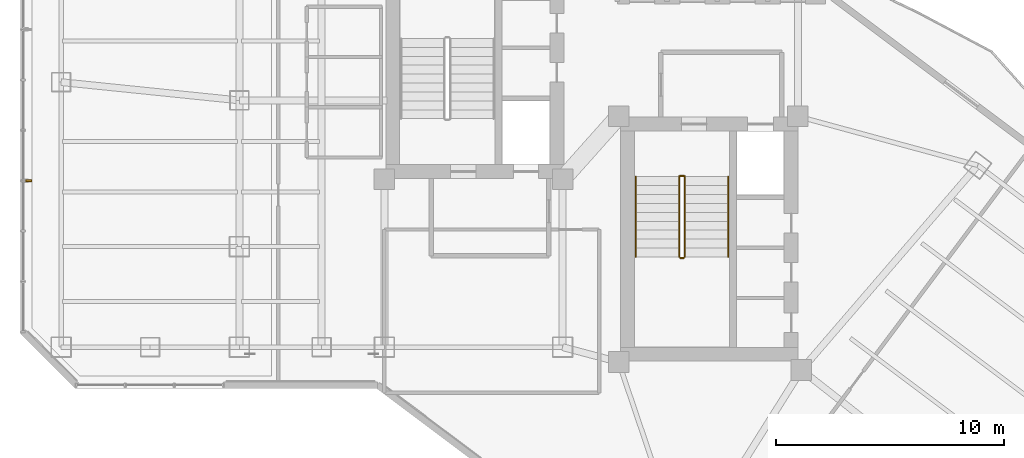
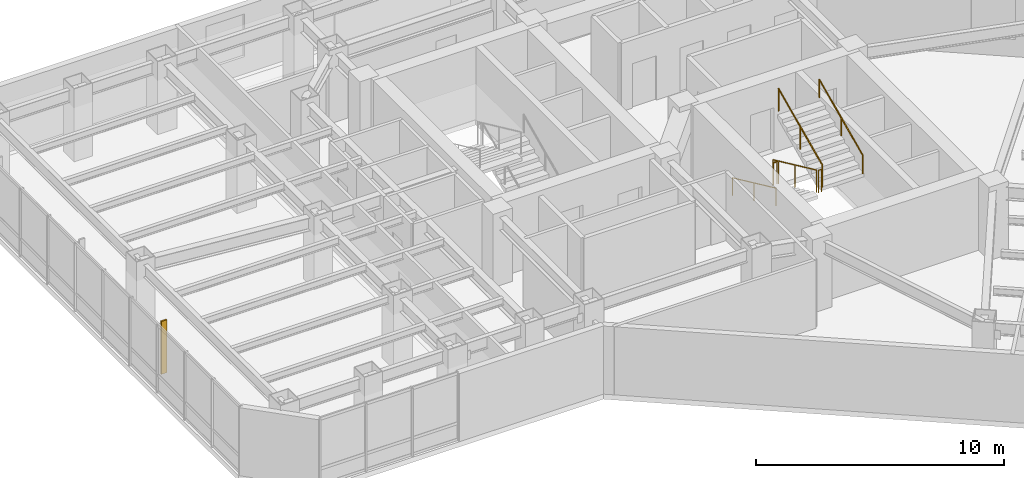
# One storey, part 26 of 29: 7 railings, 1 shading device.
"""IFC4 building model written with IfcOpenShell, lengths in metres."""

from ifc_helpers import new_model, si_unit, direction, frame, origin, origin_2d, place, context, subcontext, project, spatial, rectangle, circle, extrude, material, layer, layer_set, type_object, element, save


model = new_model("IFC4")

# Units and contexts
model_context = context("Model", 3, precision=1e-05, world=origin(), true_north=direction((0.0, 1.0)))
body_context = subcontext(model_context, "Body", "Model", "MODEL_VIEW")
ifc_project = project(units=[si_unit("LENGTHUNIT", "METRE"), si_unit("AREAUNIT", "SQUARE_METRE"), si_unit("VOLUMEUNIT", "CUBIC_METRE"), si_unit("PLANEANGLEUNIT", "RADIAN"), si_unit("MASSUNIT", "GRAM", prefix="KILO")], contexts=[model_context])

# Site, building, storey
site_placement = place(None, origin())
site = spatial("IfcSite", under=ifc_project, at=site_placement, CompositionType="ELEMENT")
building_placement = place(site_placement, origin())
building = spatial("IfcBuilding", under=site, at=building_placement, Name="Hatsunagi Terrace Concourse", CompositionType="ELEMENT")
storey_placement = place(building_placement, frame((0.0, 0.0, 115.64990234375)))
storey = spatial("IfcBuildingStorey", under=building, at=storey_placement, Name="L30", CompositionType="ELEMENT", Elevation=115.64990234375)

# Railings
ifc_material_1 = material(Name="Stainless steel", Category="steel")
ifc_layer_1 = layer(ifc_material_1, 0.044921875)
ifc_layer_set_1 = layer_set([ifc_layer_1], Name="StairPitchHandrail_Tower2000")
railing_type_1 = type_object("IfcRailingType", Name="StairPitchHandrail_Tower2000", PredefinedType="HANDRAIL", material=ifc_layer_set_1)
railing_1_placement = place(storey_placement, frame((36.550048828125, 32.659912109375, 0.18017578125)))
element("IfcRailing", 1, at=railing_1_placement, inside=storey, type_object=railing_type_1, Name="L30 ST-B stair handrail 1", PredefinedType="HANDRAIL", context=body_context, shape_type="SweptSolid", body=[
    extrude(circle(Radius=0.02392578125, at=origin_2d()), frame((0.0, 0.0, 0.8759765625), z_axis=(0.0, -0.907972323039, 0.419030142823), x_axis=(1.0, 0.0, 0.0)), (0.0, 0.0, 1.0), 3.86572265625),
    extrude(circle(Radius=0.02099609375, at=origin_2d()), origin(), (0.0, 0.0, 1.0), 0.851806640625),
    extrude(circle(Radius=0.02099609375, at=origin_2d()), frame((0.0, -1.7548828125, 0.81005859375)), (0.0, 0.0, 1.0), 0.851806640625),
    extrude(circle(Radius=0.02099609375, at=origin_2d()), frame((0.0, -3.510009765625, 1.619873046875)), (0.0, 0.0, 1.0), 0.851806640625),
])
railing_2_placement = place(storey_placement, frame((40.60009765625, 29.14990234375, 1.97998046875)))
element("IfcRailing", 2, at=railing_2_placement, inside=storey, type_object=railing_type_1, Name="L30 ST-B stair handrail 2", PredefinedType="HANDRAIL", context=body_context, shape_type="SweptSolid", body=[
    extrude(circle(Radius=0.02392578125, at=origin_2d()), frame((0.0, 0.0, 0.8759765625), z_axis=(0.0, 0.907948293929, 0.419082206198), x_axis=(-1.0, 0.0, 0.0)), (0.0, 0.0, 1.0), 3.865966796875),
    extrude(circle(Radius=0.02099609375, at=origin_2d()), origin(), (0.0, 0.0, 1.0), 0.851806640625),
    extrude(circle(Radius=0.02099609375, at=origin_2d()), frame((0.0, 1.7548828125, 0.81005859375)), (0.0, 0.0, 1.0), 0.851806640625),
    extrude(circle(Radius=0.02099609375, at=origin_2d()), frame((0.0, 3.510009765625, 1.6201171875)), (0.0, 0.0, 1.0), 0.851806640625),
])
ifc_material_2 = material(Name="Stainless steel", Category="steel")
ifc_layer_2 = layer(ifc_material_2, 0.06005859375)
ifc_layer_set_2 = layer_set([ifc_layer_2], Name="StairWellGuard_Tower2000")
railing_type_2 = type_object("IfcRailingType", Name="StairWellGuard_Tower2000", PredefinedType="BALUSTRADE", material=ifc_layer_set_2)
railing_3_placement = place(storey_placement, frame((38.449951171875, 32.659912109375, 0.18017578125)))
element("IfcRailing", 3, at=railing_3_placement, inside=storey, type_object=railing_type_2, Name="L30 ST-B stair guard 1", PredefinedType="BALUSTRADE", context=body_context, shape_type="SweptSolid", body=[
    extrude(circle(Radius=0.02392578125, at=origin_2d()), frame((0.0, 0.0, 1.09619140625), z_axis=(0.0, -0.907972323039, 0.419030142823), x_axis=(1.0, 0.0, 0.0)), (0.0, 0.0, 1.0), 3.86572265625),
    extrude(circle(Radius=0.02099609375, at=origin_2d()), origin(), (0.0, 0.0, 1.0), 1.072021484375),
    extrude(circle(Radius=0.02099609375, at=origin_2d()), frame((0.0, -1.7548828125, 0.81005859375)), (0.0, 0.0, 1.0), 1.072021484375),
    extrude(circle(Radius=0.02099609375, at=origin_2d()), frame((0.0, -3.510009765625, 1.619873046875)), (0.0, 0.0, 1.0), 1.072021484375),
])
railing_4_placement = place(storey_placement, frame((38.5, 29.10009765625, 1.800048828125)))
element("IfcRailing", 4, at=railing_4_placement, inside=storey, type_object=railing_type_2, Name="L30 ST-B stair guard 2", PredefinedType="BALUSTRADE", context=body_context, shape_type="SweptSolid", body=[
    extrude(circle(Radius=0.02392578125, at=origin_2d()), frame((0.0, 0.0, 1.09619140625), z_axis=(1.0, 0.0, 0.0), x_axis=(0.0, 1.0, 0.0)), (0.0, 0.0, 1.0), 0.14990234375),
    extrude(circle(Radius=0.02099609375, at=origin_2d()), origin(), (0.0, 0.0, 1.0), 1.072021484375),
    extrude(circle(Radius=0.02099609375, at=origin_2d()), frame((0.14990234375, 0.0, 0.0)), (0.0, 0.0, 1.0), 1.072021484375),
])
railing_5_placement = place(storey_placement, frame((38.699951171875, 29.14990234375, 1.97998046875)))
element("IfcRailing", 5, at=railing_5_placement, inside=storey, type_object=railing_type_2, Name="L30 ST-B stair guard 3", PredefinedType="BALUSTRADE", context=body_context, shape_type="SweptSolid", body=[
    extrude(circle(Radius=0.02392578125, at=origin_2d()), frame((0.0, 0.0, 1.09619140625), z_axis=(0.0, 0.907948293929, 0.419082206198), x_axis=(-1.0, 0.0, 0.0)), (0.0, 0.0, 1.0), 3.865966796875),
    extrude(circle(Radius=0.02099609375, at=origin_2d()), origin(), (0.0, 0.0, 1.0), 1.072021484375),
    extrude(circle(Radius=0.02099609375, at=origin_2d()), frame((0.0, 1.7548828125, 0.81005859375)), (0.0, 0.0, 1.0), 1.072021484375),
    extrude(circle(Radius=0.02099609375, at=origin_2d()), frame((0.0, 3.510009765625, 1.6201171875)), (0.0, 0.0, 1.0), 1.072021484375),
])
railing_6_placement = place(storey_placement, frame((38.5, 32.7099609375, 0.0)))
element("IfcRailing", 6, at=railing_6_placement, inside=storey, type_object=railing_type_2, Name="L30 ST-B stair guard 4", PredefinedType="BALUSTRADE", context=body_context, shape_type="SweptSolid", body=[
    extrude(circle(Radius=0.02392578125, at=origin_2d()), frame((0.0, 0.0, 1.09619140625), z_axis=(1.0, 0.0, 0.0), x_axis=(0.0, 1.0, 0.0)), (0.0, 0.0, 1.0), 0.14990234375),
    extrude(circle(Radius=0.02099609375, at=origin_2d()), origin(), (0.0, 0.0, 1.0), 1.072021484375),
    extrude(circle(Radius=0.02099609375, at=origin_2d()), frame((0.14990234375, 0.0, 0.0)), (0.0, 0.0, 1.0), 1.072021484375),
])
ifc_material_3 = material(Name="Stainless Steel SUS316 Post-and-Rail Guard", Category="steel")
ifc_layer_3 = layer(ifc_material_3, 0.080078125)
ifc_layer_set_3 = layer_set([ifc_layer_3], Name="TerracePlantedGuardRail_1200")
railing_type_3 = type_object("IfcRailingType", Name="TerracePlantedGuardRail_1200", PredefinedType="GUARDRAIL", material=ifc_layer_set_3)
railing_7_placement = place(storey_placement, frame((38.449951171875, 32.679931640625, 0.0)))
element("IfcRailing", 7, at=railing_7_placement, inside=storey, type_object=railing_type_3, Name="Stair ST-B Well Closure Guard L30", PredefinedType="GUARDRAIL", context=body_context, shape_type="SweptSolid", body=[
    extrude(circle(Radius=0.02392578125, at=origin_2d()), frame((0.0, 0.0, 1.09619140625), z_axis=(1.0, 0.0, 0.0), x_axis=(0.0, 1.0, 0.0)), (0.0, 0.0, 1.0), 0.25),
    extrude(circle(Radius=0.02099609375, at=origin_2d()), origin(), (0.0, 0.0, 1.0), 1.072021484375),
    extrude(circle(Radius=0.02099609375, at=origin_2d()), frame((0.25, 0.0, 0.0)), (0.0, 0.0, 1.0), 1.072021484375),
])

# Shading device
ifc_material_4 = material(Name="Extruded Unglazed Terracotta Baguette", Category="masonry")
shading_device_type = type_object("IfcShadingDeviceType", Name="TerracottaFinScreen_260x70", PredefinedType="USERDEFINED", material=ifc_material_4)
shading_device_placement = place(storey_placement, frame((9.989990234375, 32.48291015625, 0.85009765625), z_axis=(0.0, 0.0, 1.0), x_axis=(0.0, 1.0, 0.0)))
element("IfcShadingDevice", 8, at=shading_device_placement, inside=storey, type_object=shading_device_type, Name="Terracotta Baguette Fin Screen SCR-01", ObjectType="SUNSHADE", PredefinedType="USERDEFINED", context=body_context, shape_type="SweptSolid", body=[
    extrude(rectangle(XDim=0.070068359375, YDim=0.260009765625, at=origin_2d()), origin(), (0.0, 0.0, 1.0), 2.60009765625),
])

save(model, "model.ifc")
